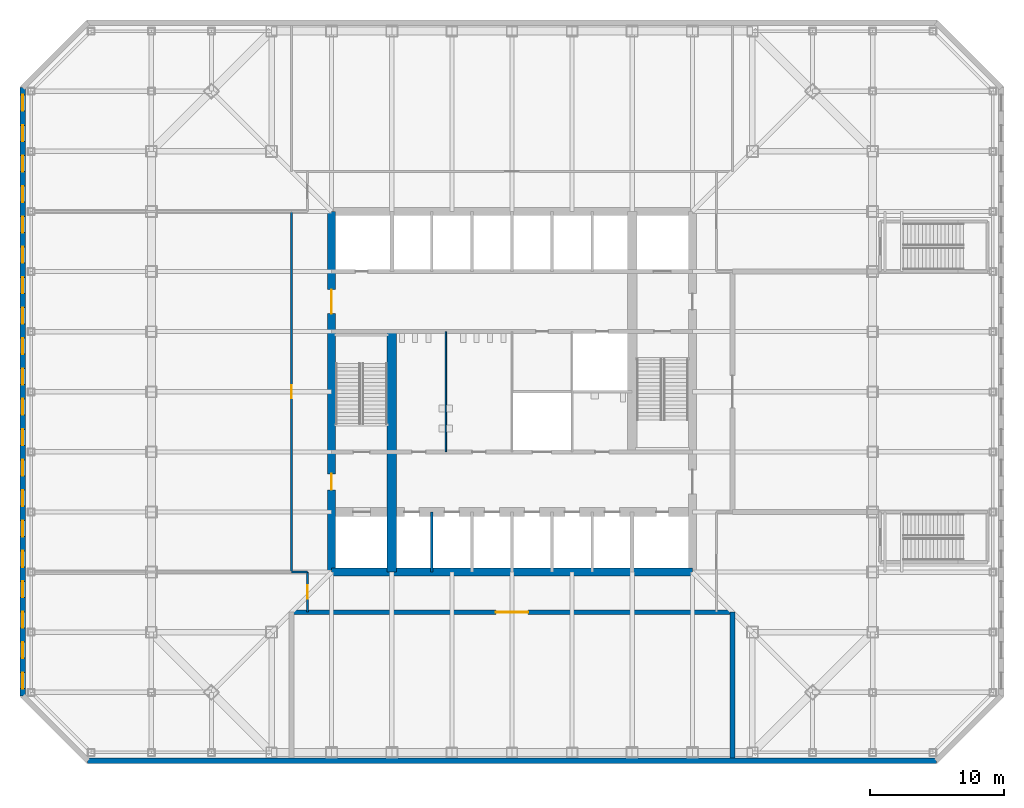
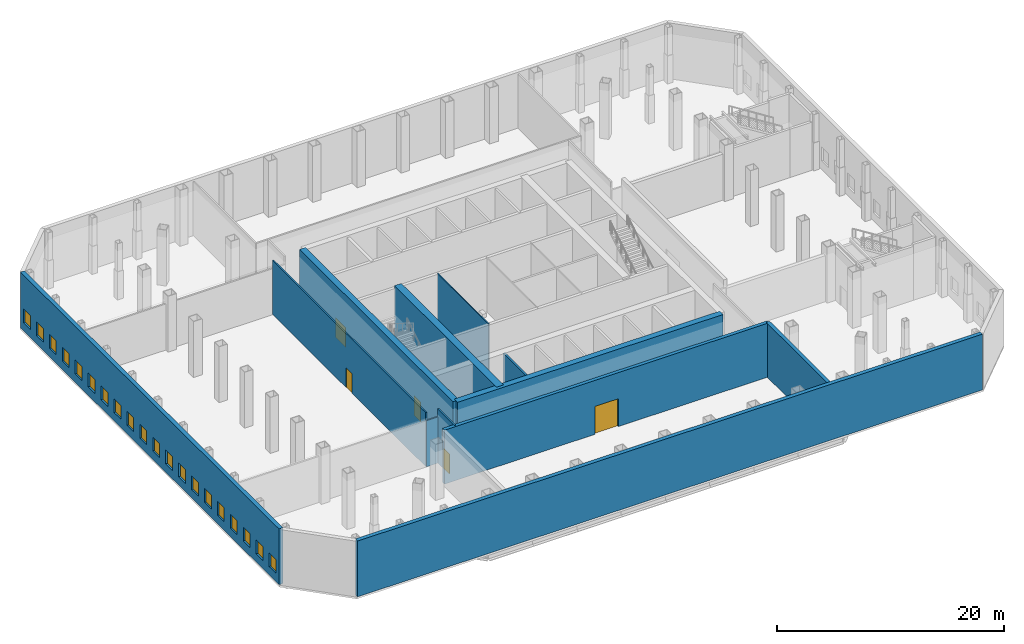
# One storey, part 6 of 13: 20 windows, 12 walls, 5 doors, 25 openings.
"""IFC4 building model written with IfcOpenShell, lengths in metres."""

from ifc_helpers import new_model, si_unit, direction, frame, frame_2d, origin, place, context, subcontext, project, spatial, rectangle, extrude, material, layer, layer_set, type_object, element, fill, save


model = new_model("IFC4")

# Units and contexts
model_context = context("Model", 3, precision=1e-05, world=origin(), true_north=direction((0.0, 1.0)))
body_context = subcontext(model_context, "Body", "Model", "MODEL_VIEW")
ifc_project = project(units=[si_unit("LENGTHUNIT", "METRE"), si_unit("AREAUNIT", "SQUARE_METRE"), si_unit("VOLUMEUNIT", "CUBIC_METRE"), si_unit("PLANEANGLEUNIT", "RADIAN"), si_unit("MASSUNIT", "GRAM", prefix="KILO")], contexts=[model_context])

# Site, building, storey
site_placement = place(None, origin())
site = spatial("IfcSite", under=ifc_project, at=site_placement, CompositionType="ELEMENT")
building_placement = place(site_placement, origin())
building = spatial("IfcBuilding", under=site, at=building_placement, Name="Corais Broadcast Tower", CompositionType="ELEMENT")
storey_placement = place(building_placement, frame((0.0, 0.0, 12.0)))
storey = spatial("IfcBuildingStorey", under=building, at=storey_placement, Name="L02", CompositionType="ELEMENT", Elevation=12.0)

# Walls
ifc_material_1 = material(Name="Concrete C50/60", Category="concrete")
ifc_layer_1 = layer(ifc_material_1, 0.699951171875)
ifc_layer_set_1 = layer_set([ifc_layer_1], Name="Concrete C50/60")
wall_type_1 = type_object("IfcWallType", Name="Core spine wall 700", PredefinedType="SHEAR", material=ifc_layer_set_1)
wall_1_placement = place(storey_placement, frame((18.0, 13.5, 0.0), z_axis=(0.0, 0.0, 1.0), x_axis=(0.0, 1.0, 0.0)))
element("IfcWall", 1, at=wall_1_placement, inside=storey, type_object=wall_type_1, Name="CR700 core wall X18A L02", PredefinedType="SHEAR", context=body_context, shape_type="SweptSolid", body=[
    extrude(rectangle(XDim=18.0, YDim=0.699951171875, at=frame_2d((9.0, 0.0))), origin(), (0.0, 0.0, 1.0), 6.0),
])
ifc_material_2 = material(Name="Concrete C50/60", Category="concrete")
ifc_layer_2 = layer(ifc_material_2, 0.60009765625)
ifc_layer_set_2 = layer_set([ifc_layer_2], Name="Concrete C50/60")
wall_type_2 = type_object("IfcWallType", Name="Core wall 600", PredefinedType="SHEAR", material=ifc_layer_set_2)
wall_2_placement = place(storey_placement, frame((13.5, 13.5, 0.0), z_axis=(0.0, 0.0, 1.0), x_axis=(1.0, 0.0, 0.0)))
element("IfcWall", 2, at=wall_2_placement, inside=storey, type_object=wall_type_2, Name="CR600 core wall S L02", PredefinedType="SHEAR", context=body_context, shape_type="SweptSolid", body=[
    extrude(rectangle(XDim=27.0, YDim=0.60009765625, at=frame_2d((13.5, 0.0))), origin(), (0.0, 0.0, 1.0), 6.0),
])

# Wall, openings, doors
wall_3_placement = place(storey_placement, frame((13.5, 40.5, 0.0), z_axis=(0.0, 0.0, 1.0), x_axis=(0.0, -1.0, 0.0)))
wall_3 = element("IfcWall", 3, at=wall_3_placement, inside=storey, type_object=wall_type_2, Name="CR600 core wall W L02", PredefinedType="SHEAR", context=body_context, shape_type="SweptSolid", body=[
    extrude(rectangle(XDim=27.0, YDim=0.60009765625, at=frame_2d((13.5, 0.0))), origin(), (0.0, 0.0, 1.0), 6.0),
])
opening_1_placement = place(wall_3_placement, frame((19.64990234375, 0.0, 0.0)))
opening_1 = element("IfcOpeningElement", 4, at=opening_1_placement, cuts=wall_3, Name="Opening FD1", PredefinedType="OPENING", context=body_context, shape_type="SweptSolid", body=[
    extrude(rectangle(XDim=1.199951171875, YDim=2.10009765625, at=frame_2d((0.60009765625, 1.050048828125))), frame((0.0, 0.31005859375, 0.0), z_axis=(0.0, -1.0, 0.0), x_axis=(1.0, 0.0, 0.0)), (0.0, 0.0, 1.0), 0.6201171875),
])
opening_2_placement = place(wall_3_placement, frame((5.85009765625, 0.0, 0.0)))
opening_2 = element("IfcOpeningElement", 5, at=opening_2_placement, cuts=wall_3, Name="Opening FD2", PredefinedType="OPENING", context=body_context, shape_type="SweptSolid", body=[
    extrude(rectangle(XDim=1.800048828125, YDim=2.10009765625, at=frame_2d((0.89990234375, 1.050048828125))), frame((0.0, 0.31005859375, 0.0), z_axis=(0.0, -1.0, 0.0), x_axis=(1.0, 0.0, 0.0)), (0.0, 0.0, 1.0), 0.6201171875),
])
ifc_material_3 = material(Name="Steel fire door", Category="steel")
door_type_1 = type_object("IfcDoorType", Name="Fire door 1200x2100", OperationType="SINGLE_SWING_LEFT", PredefinedType="DOOR", material=ifc_material_3)
door_1_placement = place(opening_1_placement, origin())
door_1 = element("IfcDoor", 6, at=door_1_placement, inside=storey, type_object=door_type_1, Name="FD1 fire lobby A door L02", OperationType="SINGLE_SWING_RIGHT", OverallHeight=2.10009765625, OverallWidth=1.199951171875, PredefinedType="DOOR", context=body_context, shape_type="SweptSolid", body=[
    extrude(rectangle(XDim=1.199951171875, YDim=2.10009765625, at=frame_2d((0.60009765625, 1.050048828125))), frame((0.0, 0.02490234375, 0.0), z_axis=(0.0, -1.0, 0.0), x_axis=(1.0, 0.0, 0.0)), (0.0, 0.0, 1.0), 0.050048828125),
])
fill(opening_1, door_1)
ifc_material_4 = material(Name="Steel fire door", Category="steel")
door_type_2 = type_object("IfcDoorType", Name="Fire door pair 1800x2100", OperationType="DOUBLE_DOOR_SINGLE_SWING", PredefinedType="DOOR", material=ifc_material_4)
door_2_placement = place(opening_2_placement, origin())
door_2 = element("IfcDoor", 7, at=door_2_placement, inside=storey, type_object=door_type_2, Name="FD2 lift lobby door L02", OperationType="SINGLE_SWING_LEFT", OverallHeight=2.10009765625, OverallWidth=1.800048828125, PredefinedType="DOOR", context=body_context, shape_type="SweptSolid", body=[
    extrude(rectangle(XDim=1.800048828125, YDim=2.10009765625, at=frame_2d((0.89990234375, 1.050048828125))), frame((0.0, 0.02490234375, 0.0), z_axis=(0.0, -1.0, 0.0), x_axis=(1.0, 0.0, 0.0)), (0.0, 0.0, 1.0), 0.050048828125),
])
fill(opening_2, door_2)

# Wall
ifc_material_5 = material(Name="Two leaves of dense concrete blockwork class A with a 50 mm cavity", Category="masonry")
ifc_layer_3 = layer(ifc_material_5, 0.35009765625)
ifc_layer_set_3 = layer_set([ifc_layer_3], Name="Two leaves of dense concrete blockwork class A with a 50 mm cavity")
wall_type_3 = type_object("IfcWallType", Name="Double-leaf acoustic partition 350", PredefinedType="PARTITIONING", material=ifc_layer_set_3)
wall_4_placement = place(storey_placement, frame((43.5, -0.429931640625, 0.0), z_axis=(0.0, 0.0, 1.0), x_axis=(0.0, 1.0, 0.0)))
element("IfcWall", 8, at=wall_4_placement, inside=storey, type_object=wall_type_3, Name="IW4 partition L02", PredefinedType="PARTITIONING", context=body_context, shape_type="SweptSolid", body=[
    extrude(rectangle(XDim=10.929931640625, YDim=0.35009765625, at=frame_2d((5.46484375, 0.0))), origin(), (0.0, 0.0, 1.0), 5.800048828125),
])

# Wall, opening, door
wall_5_placement = place(storey_placement, frame((43.5, 10.5, 0.0), z_axis=(0.0, 0.0, 1.0), x_axis=(-1.0, 0.0, 0.0)))
wall_5 = element("IfcWall", 9, at=wall_5_placement, inside=storey, type_object=wall_type_3, Name="IW4 partition L02", PredefinedType="PARTITIONING", context=body_context, shape_type="SweptSolid", body=[
    extrude(rectangle(XDim=33.0, YDim=0.35009765625, at=frame_2d((16.5, 0.0))), origin(), (0.0, 0.0, 1.0), 5.800048828125),
])
opening_3_placement = place(wall_5_placement, frame((15.300048828125, 0.0, 0.0)))
opening_3 = element("IfcOpeningElement", 10, at=opening_3_placement, cuts=wall_5, Name="Opening D3", PredefinedType="OPENING", context=body_context, shape_type="SweptSolid", body=[
    extrude(rectangle(XDim=2.39990234375, YDim=3.0, at=frame_2d((1.199951171875, 1.5))), frame((0.0, 0.18505859375, 0.0), z_axis=(0.0, -1.0, 0.0), x_axis=(1.0, 0.0, 0.0)), (0.0, 0.0, 1.0), 0.3701171875),
])
ifc_material_6 = material(Name="Acoustic steel door", Category="steel")
door_type_3 = type_object("IfcDoorType", Name="Studio double door 2400x3000", OperationType="DOUBLE_DOOR_SINGLE_SWING", PredefinedType="DOOR", material=ifc_material_6)
door_3_placement = place(opening_3_placement, origin())
door_3 = element("IfcDoor", 11, at=door_3_placement, inside=storey, type_object=door_type_3, Name="D3 Studio C door", OperationType="SINGLE_SWING_LEFT", OverallHeight=3.0, OverallWidth=2.39990234375, PredefinedType="DOOR", context=body_context, shape_type="SweptSolid", body=[
    extrude(rectangle(XDim=2.39990234375, YDim=3.0, at=frame_2d((1.199951171875, 1.5))), frame((0.0, 0.02490234375, 0.0), z_axis=(0.0, -1.0, 0.0), x_axis=(1.0, 0.0, 0.0)), (0.0, 0.0, 1.0), 0.050048828125),
])
fill(opening_3, door_3)

ifc_material_7 = material(Name="Gypsum board on steel studs", Category="steel")
ifc_layer_4 = layer(ifc_material_7, 0.14990234375)
ifc_layer_set_4 = layer_set([ifc_layer_4], Name="Gypsum board on steel studs")
wall_type_4 = type_object("IfcWallType", Name="Partition 150", PredefinedType="PARTITIONING", material=ifc_layer_set_4)
wall_6_placement = place(storey_placement, frame((11.699951171875, 13.5, 0.0), z_axis=(0.0, 0.0, 1.0), x_axis=(0.0, -1.0, 0.0)))
wall_6 = element("IfcWall", 12, at=wall_6_placement, inside=storey, type_object=wall_type_4, Name="IW3 corridor wall L02", PredefinedType="PARTITIONING", context=body_context, shape_type="SweptSolid", body=[
    extrude(rectangle(XDim=3.0, YDim=0.14990234375, at=frame_2d((1.5, 0.0))), origin(), (0.0, 0.0, 1.0), 5.800048828125),
])
opening_4_placement = place(wall_6_placement, frame((1.0, 0.0, 0.0)))
opening_4 = element("IfcOpeningElement", 13, at=opening_4_placement, cuts=wall_6, Name="Opening D1", PredefinedType="OPENING", context=body_context, shape_type="SweptSolid", body=[
    extrude(rectangle(XDim=1.0, YDim=2.10009765625, at=frame_2d((0.5, 1.050048828125))), frame((0.0, 0.0849609375, 0.0), z_axis=(0.0, -1.0, 0.0), x_axis=(1.0, 0.0, 0.0)), (0.0, 0.0, 1.0), 0.169921875),
])
ifc_material_8 = material(Name="Timber door", Category="wood")
door_type_4 = type_object("IfcDoorType", Name="Single door 1000x2100", OperationType="SINGLE_SWING_LEFT", PredefinedType="DOOR", material=ifc_material_8)
door_4_placement = place(opening_4_placement, origin())
door_4 = element("IfcDoor", 14, at=door_4_placement, inside=storey, type_object=door_type_4, Name="D1 workplace door L02", OperationType="SINGLE_SWING_LEFT", OverallHeight=2.10009765625, OverallWidth=1.0, PredefinedType="DOOR", context=body_context, shape_type="SweptSolid", body=[
    extrude(rectangle(XDim=1.0, YDim=2.10009765625, at=frame_2d((0.5, 1.050048828125))), frame((0.0, 0.02490234375, 0.0), z_axis=(0.0, -1.0, 0.0), x_axis=(1.0, 0.0, 0.0)), (0.0, 0.0, 1.0), 0.050048828125),
])
fill(opening_4, door_4)

# Wall
wall_7_placement = place(storey_placement, frame((10.489990234375, 13.5, 0.0), z_axis=(0.0, 0.0, 1.0), x_axis=(1.0, 0.0, 0.0)))
element("IfcWall", 15, at=wall_7_placement, inside=storey, type_object=wall_type_4, Name="IW3 corridor wall L02", PredefinedType="PARTITIONING", context=body_context, shape_type="SweptSolid", body=[
    extrude(rectangle(XDim=1.2099609375, YDim=0.14990234375, at=frame_2d((0.60498046875, 0.0))), origin(), (0.0, 0.0, 1.0), 4.948974609375),
])

# Wall, opening, door
wall_8_placement = place(storey_placement, frame((10.5, 13.5, 0.0), z_axis=(0.0, 0.0, 1.0), x_axis=(0.0, 1.0, 0.0)))
wall_8 = element("IfcWall", 16, at=wall_8_placement, inside=storey, type_object=wall_type_4, Name="IW3 partition L02", PredefinedType="PARTITIONING", context=body_context, shape_type="SweptSolid", body=[
    extrude(rectangle(XDim=27.0, YDim=0.14990234375, at=frame_2d((13.5, 0.0))), origin(), (0.0, 0.0, 1.0), 5.800048828125),
])
opening_5_placement = place(wall_8_placement, frame((13.0, 0.0, 0.0)))
opening_5 = element("IfcOpeningElement", 17, at=opening_5_placement, cuts=wall_8, Name="Opening D1", PredefinedType="OPENING", context=body_context, shape_type="SweptSolid", body=[
    extrude(rectangle(XDim=1.0, YDim=2.10009765625, at=frame_2d((0.5, 1.050048828125))), frame((0.0, 0.0849609375, 0.0), z_axis=(0.0, -1.0, 0.0), x_axis=(1.0, 0.0, 0.0)), (0.0, 0.0, 1.0), 0.169921875),
])
door_5_placement = place(opening_5_placement, origin())
door_5 = element("IfcDoor", 18, at=door_5_placement, inside=storey, type_object=door_type_4, Name="D1 Make-up and dressing rooms door", OperationType="SINGLE_SWING_LEFT", OverallHeight=2.10009765625, OverallWidth=1.0, PredefinedType="DOOR", context=body_context, shape_type="SweptSolid", body=[
    extrude(rectangle(XDim=1.0, YDim=2.10009765625, at=frame_2d((0.5, 1.050048828125))), frame((0.0, 0.02490234375, 0.0), z_axis=(0.0, -1.0, 0.0), x_axis=(1.0, 0.0, 0.0)), (0.0, 0.0, 1.0), 0.050048828125),
])
fill(opening_5, door_5)

# Wall
ifc_material_9 = material(Name="Concrete blockwork class A, grouted, two-hour", Category="masonry")
ifc_layer_5 = layer(ifc_material_9, 0.199951171875)
ifc_layer_set_5 = layer_set([ifc_layer_5], Name="Concrete blockwork class A, grouted, two-hour")
wall_type_5 = type_object("IfcWallType", Name="Shaft wall 200", PredefinedType="PARTITIONING", material=ifc_layer_set_5)
wall_9_placement = place(storey_placement, frame((21.0, 13.5, 0.0), z_axis=(0.0, 0.0, 1.0), x_axis=(0.0, 1.0, 0.0)))
element("IfcWall", 19, at=wall_9_placement, inside=storey, type_object=wall_type_5, Name="IW1 shaft wall L02", PredefinedType="PARTITIONING", context=body_context, shape_type="SweptSolid", body=[
    extrude(rectangle(XDim=4.5, YDim=0.199951171875, at=frame_2d((2.25, 0.0))), origin(), (0.0, 0.0, 1.0), 5.800048828125),
])

# Wall, openings, windows
ifc_material_10 = material(Name="Precast concrete C40/50", Category="concrete")
ifc_layer_6 = layer(ifc_material_10, 0.39990234375)
ifc_layer_set_6 = layer_set([ifc_layer_6], Name="Precast concrete C40/50")
wall_type_6 = type_object("IfcWallType", Name="Stone-faced acoustic wall 400", PredefinedType="SOLIDWALL", material=ifc_layer_set_6)
wall_10_placement = place(storey_placement, frame((-9.6298828125, 4.239013671875, 0.0), z_axis=(0.0, 0.0, 1.0), x_axis=(0.0, 1.0, 0.0)))
wall_10 = element("IfcWall", 20, at=wall_10_placement, inside=storey, type_object=wall_type_6, Name="EW2 external wall L02 2", PredefinedType="SOLIDWALL", context=body_context, shape_type="SweptSolid", body=[
    extrude(rectangle(XDim=45.52197265625, YDim=0.39990234375, at=frame_2d((22.760986328125, 0.0))), origin(), (0.0, 0.0, 1.0), 6.0),
])
opening_6_placement = place(wall_10_placement, frame((0.5380859375, 0.0, 0.89990234375)))
opening_6 = element("IfcOpeningElement", 21, at=opening_6_placement, cuts=wall_10, Name="Opening W2", PredefinedType="OPENING", context=body_context, shape_type="SweptSolid", body=[
    extrude(rectangle(XDim=1.199951171875, YDim=1.5, at=frame_2d((0.60009765625, 0.75))), frame((0.0, 0.2099609375, 0.0), z_axis=(0.0, -1.0, 0.0), x_axis=(1.0, 0.0, 0.0)), (0.0, 0.0, 1.0), 0.419921875),
])
opening_7_placement = place(wall_10_placement, frame((2.814208984375, 0.0, 0.89990234375)))
opening_7 = element("IfcOpeningElement", 22, at=opening_7_placement, cuts=wall_10, Name="Opening W2", PredefinedType="OPENING", context=body_context, shape_type="SweptSolid", body=[
    extrude(rectangle(XDim=1.199951171875, YDim=1.5, at=frame_2d((0.60009765625, 0.75))), frame((0.0, 0.2099609375, 0.0), z_axis=(0.0, -1.0, 0.0), x_axis=(1.0, 0.0, 0.0)), (0.0, 0.0, 1.0), 0.419921875),
])
opening_8_placement = place(wall_10_placement, frame((5.09033203125, 0.0, 0.89990234375)))
opening_8 = element("IfcOpeningElement", 23, at=opening_8_placement, cuts=wall_10, Name="Opening W2", PredefinedType="OPENING", context=body_context, shape_type="SweptSolid", body=[
    extrude(rectangle(XDim=1.199951171875, YDim=1.5, at=frame_2d((0.60009765625, 0.75))), frame((0.0, 0.2099609375, 0.0), z_axis=(0.0, -1.0, 0.0), x_axis=(1.0, 0.0, 0.0)), (0.0, 0.0, 1.0), 0.419921875),
])
opening_9_placement = place(wall_10_placement, frame((7.366455078125, 0.0, 0.89990234375)))
opening_9 = element("IfcOpeningElement", 24, at=opening_9_placement, cuts=wall_10, Name="Opening W2", PredefinedType="OPENING", context=body_context, shape_type="SweptSolid", body=[
    extrude(rectangle(XDim=1.199951171875, YDim=1.5, at=frame_2d((0.60009765625, 0.75))), frame((0.0, 0.2099609375, 0.0), z_axis=(0.0, -1.0, 0.0), x_axis=(1.0, 0.0, 0.0)), (0.0, 0.0, 1.0), 0.419921875),
])
opening_10_placement = place(wall_10_placement, frame((9.642333984375, 0.0, 0.89990234375)))
opening_10 = element("IfcOpeningElement", 25, at=opening_10_placement, cuts=wall_10, Name="Opening W2", PredefinedType="OPENING", context=body_context, shape_type="SweptSolid", body=[
    extrude(rectangle(XDim=1.199951171875, YDim=1.5, at=frame_2d((0.60009765625, 0.75))), frame((0.0, 0.2099609375, 0.0), z_axis=(0.0, -1.0, 0.0), x_axis=(1.0, 0.0, 0.0)), (0.0, 0.0, 1.0), 0.419921875),
])
opening_11_placement = place(wall_10_placement, frame((11.91845703125, 0.0, 0.89990234375)))
opening_11 = element("IfcOpeningElement", 26, at=opening_11_placement, cuts=wall_10, Name="Opening W2", PredefinedType="OPENING", context=body_context, shape_type="SweptSolid", body=[
    extrude(rectangle(XDim=1.199951171875, YDim=1.5, at=frame_2d((0.60009765625, 0.75))), frame((0.0, 0.2099609375, 0.0), z_axis=(0.0, -1.0, 0.0), x_axis=(1.0, 0.0, 0.0)), (0.0, 0.0, 1.0), 0.419921875),
])
opening_12_placement = place(wall_10_placement, frame((14.194580078125, 0.0, 0.89990234375)))
opening_12 = element("IfcOpeningElement", 27, at=opening_12_placement, cuts=wall_10, Name="Opening W2", PredefinedType="OPENING", context=body_context, shape_type="SweptSolid", body=[
    extrude(rectangle(XDim=1.199951171875, YDim=1.5, at=frame_2d((0.60009765625, 0.75))), frame((0.0, 0.2099609375, 0.0), z_axis=(0.0, -1.0, 0.0), x_axis=(1.0, 0.0, 0.0)), (0.0, 0.0, 1.0), 0.419921875),
])
opening_13_placement = place(wall_10_placement, frame((16.470703125, 0.0, 0.89990234375)))
opening_13 = element("IfcOpeningElement", 28, at=opening_13_placement, cuts=wall_10, Name="Opening W2", PredefinedType="OPENING", context=body_context, shape_type="SweptSolid", body=[
    extrude(rectangle(XDim=1.199951171875, YDim=1.5, at=frame_2d((0.60009765625, 0.75))), frame((0.0, 0.2099609375, 0.0), z_axis=(0.0, -1.0, 0.0), x_axis=(1.0, 0.0, 0.0)), (0.0, 0.0, 1.0), 0.419921875),
])
opening_14_placement = place(wall_10_placement, frame((18.746826171875, 0.0, 0.89990234375)))
opening_14 = element("IfcOpeningElement", 29, at=opening_14_placement, cuts=wall_10, Name="Opening W2", PredefinedType="OPENING", context=body_context, shape_type="SweptSolid", body=[
    extrude(rectangle(XDim=1.199951171875, YDim=1.5, at=frame_2d((0.60009765625, 0.75))), frame((0.0, 0.2099609375, 0.0), z_axis=(0.0, -1.0, 0.0), x_axis=(1.0, 0.0, 0.0)), (0.0, 0.0, 1.0), 0.419921875),
])
opening_15_placement = place(wall_10_placement, frame((21.02294921875, 0.0, 0.89990234375)))
opening_15 = element("IfcOpeningElement", 30, at=opening_15_placement, cuts=wall_10, Name="Opening W2", PredefinedType="OPENING", context=body_context, shape_type="SweptSolid", body=[
    extrude(rectangle(XDim=1.199951171875, YDim=1.5, at=frame_2d((0.60009765625, 0.75))), frame((0.0, 0.2099609375, 0.0), z_axis=(0.0, -1.0, 0.0), x_axis=(1.0, 0.0, 0.0)), (0.0, 0.0, 1.0), 0.419921875),
])
opening_16_placement = place(wall_10_placement, frame((23.299072265625, 0.0, 0.89990234375)))
opening_16 = element("IfcOpeningElement", 31, at=opening_16_placement, cuts=wall_10, Name="Opening W2", PredefinedType="OPENING", context=body_context, shape_type="SweptSolid", body=[
    extrude(rectangle(XDim=1.199951171875, YDim=1.5, at=frame_2d((0.60009765625, 0.75))), frame((0.0, 0.2099609375, 0.0), z_axis=(0.0, -1.0, 0.0), x_axis=(1.0, 0.0, 0.0)), (0.0, 0.0, 1.0), 0.419921875),
])
opening_17_placement = place(wall_10_placement, frame((25.5751953125, 0.0, 0.89990234375)))
opening_17 = element("IfcOpeningElement", 32, at=opening_17_placement, cuts=wall_10, Name="Opening W2", PredefinedType="OPENING", context=body_context, shape_type="SweptSolid", body=[
    extrude(rectangle(XDim=1.199951171875, YDim=1.5, at=frame_2d((0.60009765625, 0.75))), frame((0.0, 0.2099609375, 0.0), z_axis=(0.0, -1.0, 0.0), x_axis=(1.0, 0.0, 0.0)), (0.0, 0.0, 1.0), 0.419921875),
])
opening_18_placement = place(wall_10_placement, frame((27.851318359375, 0.0, 0.89990234375)))
opening_18 = element("IfcOpeningElement", 33, at=opening_18_placement, cuts=wall_10, Name="Opening W2", PredefinedType="OPENING", context=body_context, shape_type="SweptSolid", body=[
    extrude(rectangle(XDim=1.199951171875, YDim=1.5, at=frame_2d((0.60009765625, 0.75))), frame((0.0, 0.2099609375, 0.0), z_axis=(0.0, -1.0, 0.0), x_axis=(1.0, 0.0, 0.0)), (0.0, 0.0, 1.0), 0.419921875),
])
opening_19_placement = place(wall_10_placement, frame((30.12744140625, 0.0, 0.89990234375)))
opening_19 = element("IfcOpeningElement", 34, at=opening_19_placement, cuts=wall_10, Name="Opening W2", PredefinedType="OPENING", context=body_context, shape_type="SweptSolid", body=[
    extrude(rectangle(XDim=1.199951171875, YDim=1.5, at=frame_2d((0.60009765625, 0.75))), frame((0.0, 0.2099609375, 0.0), z_axis=(0.0, -1.0, 0.0), x_axis=(1.0, 0.0, 0.0)), (0.0, 0.0, 1.0), 0.419921875),
])
opening_20_placement = place(wall_10_placement, frame((32.403564453125, 0.0, 0.89990234375)))
opening_20 = element("IfcOpeningElement", 35, at=opening_20_placement, cuts=wall_10, Name="Opening W2", PredefinedType="OPENING", context=body_context, shape_type="SweptSolid", body=[
    extrude(rectangle(XDim=1.199951171875, YDim=1.5, at=frame_2d((0.60009765625, 0.75))), frame((0.0, 0.2099609375, 0.0), z_axis=(0.0, -1.0, 0.0), x_axis=(1.0, 0.0, 0.0)), (0.0, 0.0, 1.0), 0.419921875),
])
opening_21_placement = place(wall_10_placement, frame((34.679443359375, 0.0, 0.89990234375)))
opening_21 = element("IfcOpeningElement", 36, at=opening_21_placement, cuts=wall_10, Name="Opening W2", PredefinedType="OPENING", context=body_context, shape_type="SweptSolid", body=[
    extrude(rectangle(XDim=1.199951171875, YDim=1.5, at=frame_2d((0.60009765625, 0.75))), frame((0.0, 0.2099609375, 0.0), z_axis=(0.0, -1.0, 0.0), x_axis=(1.0, 0.0, 0.0)), (0.0, 0.0, 1.0), 0.419921875),
])
opening_22_placement = place(wall_10_placement, frame((36.95556640625, 0.0, 0.89990234375)))
opening_22 = element("IfcOpeningElement", 37, at=opening_22_placement, cuts=wall_10, Name="Opening W2", PredefinedType="OPENING", context=body_context, shape_type="SweptSolid", body=[
    extrude(rectangle(XDim=1.199951171875, YDim=1.5, at=frame_2d((0.60009765625, 0.75))), frame((0.0, 0.2099609375, 0.0), z_axis=(0.0, -1.0, 0.0), x_axis=(1.0, 0.0, 0.0)), (0.0, 0.0, 1.0), 0.419921875),
])
opening_23_placement = place(wall_10_placement, frame((39.231689453125, 0.0, 0.89990234375)))
opening_23 = element("IfcOpeningElement", 38, at=opening_23_placement, cuts=wall_10, Name="Opening W2", PredefinedType="OPENING", context=body_context, shape_type="SweptSolid", body=[
    extrude(rectangle(XDim=1.199951171875, YDim=1.5, at=frame_2d((0.60009765625, 0.75))), frame((0.0, 0.2099609375, 0.0), z_axis=(0.0, -1.0, 0.0), x_axis=(1.0, 0.0, 0.0)), (0.0, 0.0, 1.0), 0.419921875),
])
opening_24_placement = place(wall_10_placement, frame((41.5078125, 0.0, 0.89990234375)))
opening_24 = element("IfcOpeningElement", 39, at=opening_24_placement, cuts=wall_10, Name="Opening W2", PredefinedType="OPENING", context=body_context, shape_type="SweptSolid", body=[
    extrude(rectangle(XDim=1.199951171875, YDim=1.5, at=frame_2d((0.60009765625, 0.75))), frame((0.0, 0.2099609375, 0.0), z_axis=(0.0, -1.0, 0.0), x_axis=(1.0, 0.0, 0.0)), (0.0, 0.0, 1.0), 0.419921875),
])
opening_25_placement = place(wall_10_placement, frame((43.783935546875, 0.0, 0.89990234375)))
opening_25 = element("IfcOpeningElement", 40, at=opening_25_placement, cuts=wall_10, Name="Opening W2", PredefinedType="OPENING", context=body_context, shape_type="SweptSolid", body=[
    extrude(rectangle(XDim=1.199951171875, YDim=1.5, at=frame_2d((0.60009765625, 0.75))), frame((0.0, 0.2099609375, 0.0), z_axis=(0.0, -1.0, 0.0), x_axis=(1.0, 0.0, 0.0)), (0.0, 0.0, 1.0), 0.419921875),
])
ifc_material_11 = material(Name="Aluminium frame", Category="aluminium")
window_type = type_object("IfcWindowType", Name="Fixed window 1200x1500", PartitioningType="SINGLE_PANEL", PredefinedType="WINDOW", material=ifc_material_11)
window_1_placement = place(opening_6_placement, origin())
window_1 = element("IfcWindow", 41, at=window_1_placement, inside=storey, type_object=window_type, Name="W2 window L02", OverallHeight=1.5, OverallWidth=1.199951171875, PartitioningType="SINGLE_PANEL", PredefinedType="WINDOW", context=body_context, shape_type="SweptSolid", body=[
    extrude(rectangle(XDim=1.199951171875, YDim=1.5, at=frame_2d((0.60009765625, 0.75))), frame((0.0, 0.030029296875, 0.0), z_axis=(0.0, -1.0, 0.0), x_axis=(1.0, 0.0, 0.0)), (0.0, 0.0, 1.0), 0.06005859375),
])
fill(opening_6, window_1)
window_2_placement = place(opening_7_placement, origin())
window_2 = element("IfcWindow", 42, at=window_2_placement, inside=storey, type_object=window_type, Name="W2 window L02", OverallHeight=1.5, OverallWidth=1.199951171875, PartitioningType="SINGLE_PANEL", PredefinedType="WINDOW", context=body_context, shape_type="SweptSolid", body=[
    extrude(rectangle(XDim=1.199951171875, YDim=1.5, at=frame_2d((0.60009765625, 0.75))), frame((0.0, 0.030029296875, 0.0), z_axis=(0.0, -1.0, 0.0), x_axis=(1.0, 0.0, 0.0)), (0.0, 0.0, 1.0), 0.06005859375),
])
fill(opening_7, window_2)
window_3_placement = place(opening_8_placement, origin())
window_3 = element("IfcWindow", 43, at=window_3_placement, inside=storey, type_object=window_type, Name="W2 window L02", OverallHeight=1.5, OverallWidth=1.199951171875, PartitioningType="SINGLE_PANEL", PredefinedType="WINDOW", context=body_context, shape_type="SweptSolid", body=[
    extrude(rectangle(XDim=1.199951171875, YDim=1.5, at=frame_2d((0.60009765625, 0.75))), frame((0.0, 0.030029296875, 0.0), z_axis=(0.0, -1.0, 0.0), x_axis=(1.0, 0.0, 0.0)), (0.0, 0.0, 1.0), 0.06005859375),
])
fill(opening_8, window_3)
window_4_placement = place(opening_9_placement, origin())
window_4 = element("IfcWindow", 44, at=window_4_placement, inside=storey, type_object=window_type, Name="W2 window L02", OverallHeight=1.5, OverallWidth=1.199951171875, PartitioningType="SINGLE_PANEL", PredefinedType="WINDOW", context=body_context, shape_type="SweptSolid", body=[
    extrude(rectangle(XDim=1.199951171875, YDim=1.5, at=frame_2d((0.60009765625, 0.75))), frame((0.0, 0.030029296875, 0.0), z_axis=(0.0, -1.0, 0.0), x_axis=(1.0, 0.0, 0.0)), (0.0, 0.0, 1.0), 0.06005859375),
])
fill(opening_9, window_4)
window_5_placement = place(opening_10_placement, origin())
window_5 = element("IfcWindow", 45, at=window_5_placement, inside=storey, type_object=window_type, Name="W2 window L02", OverallHeight=1.5, OverallWidth=1.199951171875, PartitioningType="SINGLE_PANEL", PredefinedType="WINDOW", context=body_context, shape_type="SweptSolid", body=[
    extrude(rectangle(XDim=1.199951171875, YDim=1.5, at=frame_2d((0.60009765625, 0.75))), frame((0.0, 0.030029296875, 0.0), z_axis=(0.0, -1.0, 0.0), x_axis=(1.0, 0.0, 0.0)), (0.0, 0.0, 1.0), 0.06005859375),
])
fill(opening_10, window_5)
window_6_placement = place(opening_11_placement, origin())
window_6 = element("IfcWindow", 46, at=window_6_placement, inside=storey, type_object=window_type, Name="W2 window L02", OverallHeight=1.5, OverallWidth=1.199951171875, PartitioningType="SINGLE_PANEL", PredefinedType="WINDOW", context=body_context, shape_type="SweptSolid", body=[
    extrude(rectangle(XDim=1.199951171875, YDim=1.5, at=frame_2d((0.60009765625, 0.75))), frame((0.0, 0.030029296875, 0.0), z_axis=(0.0, -1.0, 0.0), x_axis=(1.0, 0.0, 0.0)), (0.0, 0.0, 1.0), 0.06005859375),
])
fill(opening_11, window_6)
window_7_placement = place(opening_12_placement, origin())
window_7 = element("IfcWindow", 47, at=window_7_placement, inside=storey, type_object=window_type, Name="W2 window L02", OverallHeight=1.5, OverallWidth=1.199951171875, PartitioningType="SINGLE_PANEL", PredefinedType="WINDOW", context=body_context, shape_type="SweptSolid", body=[
    extrude(rectangle(XDim=1.199951171875, YDim=1.5, at=frame_2d((0.60009765625, 0.75))), frame((0.0, 0.030029296875, 0.0), z_axis=(0.0, -1.0, 0.0), x_axis=(1.0, 0.0, 0.0)), (0.0, 0.0, 1.0), 0.06005859375),
])
fill(opening_12, window_7)
window_8_placement = place(opening_13_placement, origin())
window_8 = element("IfcWindow", 48, at=window_8_placement, inside=storey, type_object=window_type, Name="W2 window L02", OverallHeight=1.5, OverallWidth=1.199951171875, PartitioningType="SINGLE_PANEL", PredefinedType="WINDOW", context=body_context, shape_type="SweptSolid", body=[
    extrude(rectangle(XDim=1.199951171875, YDim=1.5, at=frame_2d((0.60009765625, 0.75))), frame((0.0, 0.030029296875, 0.0), z_axis=(0.0, -1.0, 0.0), x_axis=(1.0, 0.0, 0.0)), (0.0, 0.0, 1.0), 0.06005859375),
])
fill(opening_13, window_8)
window_9_placement = place(opening_14_placement, origin())
window_9 = element("IfcWindow", 49, at=window_9_placement, inside=storey, type_object=window_type, Name="W2 window L02", OverallHeight=1.5, OverallWidth=1.199951171875, PartitioningType="SINGLE_PANEL", PredefinedType="WINDOW", context=body_context, shape_type="SweptSolid", body=[
    extrude(rectangle(XDim=1.199951171875, YDim=1.5, at=frame_2d((0.60009765625, 0.75))), frame((0.0, 0.030029296875, 0.0), z_axis=(0.0, -1.0, 0.0), x_axis=(1.0, 0.0, 0.0)), (0.0, 0.0, 1.0), 0.06005859375),
])
fill(opening_14, window_9)
window_10_placement = place(opening_15_placement, origin())
window_10 = element("IfcWindow", 50, at=window_10_placement, inside=storey, type_object=window_type, Name="W2 window L02", OverallHeight=1.5, OverallWidth=1.199951171875, PartitioningType="SINGLE_PANEL", PredefinedType="WINDOW", context=body_context, shape_type="SweptSolid", body=[
    extrude(rectangle(XDim=1.199951171875, YDim=1.5, at=frame_2d((0.60009765625, 0.75))), frame((0.0, 0.030029296875, 0.0), z_axis=(0.0, -1.0, 0.0), x_axis=(1.0, 0.0, 0.0)), (0.0, 0.0, 1.0), 0.06005859375),
])
fill(opening_15, window_10)
window_11_placement = place(opening_16_placement, origin())
window_11 = element("IfcWindow", 51, at=window_11_placement, inside=storey, type_object=window_type, Name="W2 window L02", OverallHeight=1.5, OverallWidth=1.199951171875, PartitioningType="SINGLE_PANEL", PredefinedType="WINDOW", context=body_context, shape_type="SweptSolid", body=[
    extrude(rectangle(XDim=1.199951171875, YDim=1.5, at=frame_2d((0.60009765625, 0.75))), frame((0.0, 0.030029296875, 0.0), z_axis=(0.0, -1.0, 0.0), x_axis=(1.0, 0.0, 0.0)), (0.0, 0.0, 1.0), 0.06005859375),
])
fill(opening_16, window_11)
window_12_placement = place(opening_17_placement, origin())
window_12 = element("IfcWindow", 52, at=window_12_placement, inside=storey, type_object=window_type, Name="W2 window L02", OverallHeight=1.5, OverallWidth=1.199951171875, PartitioningType="SINGLE_PANEL", PredefinedType="WINDOW", context=body_context, shape_type="SweptSolid", body=[
    extrude(rectangle(XDim=1.199951171875, YDim=1.5, at=frame_2d((0.60009765625, 0.75))), frame((0.0, 0.030029296875, 0.0), z_axis=(0.0, -1.0, 0.0), x_axis=(1.0, 0.0, 0.0)), (0.0, 0.0, 1.0), 0.06005859375),
])
fill(opening_17, window_12)
window_13_placement = place(opening_18_placement, origin())
window_13 = element("IfcWindow", 53, at=window_13_placement, inside=storey, type_object=window_type, Name="W2 window L02", OverallHeight=1.5, OverallWidth=1.199951171875, PartitioningType="SINGLE_PANEL", PredefinedType="WINDOW", context=body_context, shape_type="SweptSolid", body=[
    extrude(rectangle(XDim=1.199951171875, YDim=1.5, at=frame_2d((0.60009765625, 0.75))), frame((0.0, 0.030029296875, 0.0), z_axis=(0.0, -1.0, 0.0), x_axis=(1.0, 0.0, 0.0)), (0.0, 0.0, 1.0), 0.06005859375),
])
fill(opening_18, window_13)
window_14_placement = place(opening_19_placement, origin())
window_14 = element("IfcWindow", 54, at=window_14_placement, inside=storey, type_object=window_type, Name="W2 window L02", OverallHeight=1.5, OverallWidth=1.199951171875, PartitioningType="SINGLE_PANEL", PredefinedType="WINDOW", context=body_context, shape_type="SweptSolid", body=[
    extrude(rectangle(XDim=1.199951171875, YDim=1.5, at=frame_2d((0.60009765625, 0.75))), frame((0.0, 0.030029296875, 0.0), z_axis=(0.0, -1.0, 0.0), x_axis=(1.0, 0.0, 0.0)), (0.0, 0.0, 1.0), 0.06005859375),
])
fill(opening_19, window_14)
window_15_placement = place(opening_20_placement, origin())
window_15 = element("IfcWindow", 55, at=window_15_placement, inside=storey, type_object=window_type, Name="W2 window L02", OverallHeight=1.5, OverallWidth=1.199951171875, PartitioningType="SINGLE_PANEL", PredefinedType="WINDOW", context=body_context, shape_type="SweptSolid", body=[
    extrude(rectangle(XDim=1.199951171875, YDim=1.5, at=frame_2d((0.60009765625, 0.75))), frame((0.0, 0.030029296875, 0.0), z_axis=(0.0, -1.0, 0.0), x_axis=(1.0, 0.0, 0.0)), (0.0, 0.0, 1.0), 0.06005859375),
])
fill(opening_20, window_15)
window_16_placement = place(opening_21_placement, origin())
window_16 = element("IfcWindow", 56, at=window_16_placement, inside=storey, type_object=window_type, Name="W2 window L02", OverallHeight=1.5, OverallWidth=1.199951171875, PartitioningType="SINGLE_PANEL", PredefinedType="WINDOW", context=body_context, shape_type="SweptSolid", body=[
    extrude(rectangle(XDim=1.199951171875, YDim=1.5, at=frame_2d((0.60009765625, 0.75))), frame((0.0, 0.030029296875, 0.0), z_axis=(0.0, -1.0, 0.0), x_axis=(1.0, 0.0, 0.0)), (0.0, 0.0, 1.0), 0.06005859375),
])
fill(opening_21, window_16)
window_17_placement = place(opening_22_placement, origin())
window_17 = element("IfcWindow", 57, at=window_17_placement, inside=storey, type_object=window_type, Name="W2 window L02", OverallHeight=1.5, OverallWidth=1.199951171875, PartitioningType="SINGLE_PANEL", PredefinedType="WINDOW", context=body_context, shape_type="SweptSolid", body=[
    extrude(rectangle(XDim=1.199951171875, YDim=1.5, at=frame_2d((0.60009765625, 0.75))), frame((0.0, 0.030029296875, 0.0), z_axis=(0.0, -1.0, 0.0), x_axis=(1.0, 0.0, 0.0)), (0.0, 0.0, 1.0), 0.06005859375),
])
fill(opening_22, window_17)
window_18_placement = place(opening_23_placement, origin())
window_18 = element("IfcWindow", 58, at=window_18_placement, inside=storey, type_object=window_type, Name="W2 window L02", OverallHeight=1.5, OverallWidth=1.199951171875, PartitioningType="SINGLE_PANEL", PredefinedType="WINDOW", context=body_context, shape_type="SweptSolid", body=[
    extrude(rectangle(XDim=1.199951171875, YDim=1.5, at=frame_2d((0.60009765625, 0.75))), frame((0.0, 0.030029296875, 0.0), z_axis=(0.0, -1.0, 0.0), x_axis=(1.0, 0.0, 0.0)), (0.0, 0.0, 1.0), 0.06005859375),
])
fill(opening_23, window_18)
window_19_placement = place(opening_24_placement, origin())
window_19 = element("IfcWindow", 59, at=window_19_placement, inside=storey, type_object=window_type, Name="W2 window L02", OverallHeight=1.5, OverallWidth=1.199951171875, PartitioningType="SINGLE_PANEL", PredefinedType="WINDOW", context=body_context, shape_type="SweptSolid", body=[
    extrude(rectangle(XDim=1.199951171875, YDim=1.5, at=frame_2d((0.60009765625, 0.75))), frame((0.0, 0.030029296875, 0.0), z_axis=(0.0, -1.0, 0.0), x_axis=(1.0, 0.0, 0.0)), (0.0, 0.0, 1.0), 0.06005859375),
])
fill(opening_24, window_19)
window_20_placement = place(opening_25_placement, origin())
window_20 = element("IfcWindow", 60, at=window_20_placement, inside=storey, type_object=window_type, Name="W2 window L02", OverallHeight=1.5, OverallWidth=1.199951171875, PartitioningType="SINGLE_PANEL", PredefinedType="WINDOW", context=body_context, shape_type="SweptSolid", body=[
    extrude(rectangle(XDim=1.199951171875, YDim=1.5, at=frame_2d((0.60009765625, 0.75))), frame((0.0, 0.030029296875, 0.0), z_axis=(0.0, -1.0, 0.0), x_axis=(1.0, 0.0, 0.0)), (0.0, 0.0, 1.0), 0.06005859375),
])
fill(opening_25, window_20)

# Walls
wall_11_placement = place(storey_placement, frame((58.760986328125, -0.6298828125, 0.0), z_axis=(0.0, 0.0, 1.0), x_axis=(-1.0, 0.0, 0.0)))
element("IfcWall", 61, at=wall_11_placement, inside=storey, type_object=wall_type_6, Name="EW2 external wall L02 8", PredefinedType="SOLIDWALL", context=body_context, shape_type="SweptSolid", body=[
    extrude(rectangle(XDim=63.52197265625, YDim=0.39990234375, at=frame_2d((31.760986328125, 0.0))), origin(), (0.0, 0.0, 1.0), 6.0),
])
ifc_material_12 = material(Name="Dense concrete blockwork class A, tiled both faces", Category="masonry")
ifc_layer_7 = layer(ifc_material_12, 0.10009765625)
ifc_layer_set_7 = layer_set([ifc_layer_7], Name="Dense concrete blockwork class A, tiled both faces")
wall_type_7 = type_object("IfcWallType", Name="Toilet wall 100", PredefinedType="PLUMBINGWALL", material=ifc_layer_set_7)
wall_12_placement = place(storey_placement, frame((22.050048828125, 22.5, 0.0), z_axis=(0.0, 0.0, 1.0), x_axis=(0.0, 1.0, 0.0)))
element("IfcWall", 62, at=wall_12_placement, inside=storey, type_object=wall_type_7, Name="IW2 toilet wall L02", PredefinedType="PLUMBINGWALL", context=body_context, shape_type="SweptSolid", body=[
    extrude(rectangle(XDim=9.0, YDim=0.10009765625, at=frame_2d((4.5, 0.0))), origin(), (0.0, 0.0, 1.0), 5.800048828125),
])

save(model, "model.ifc")
